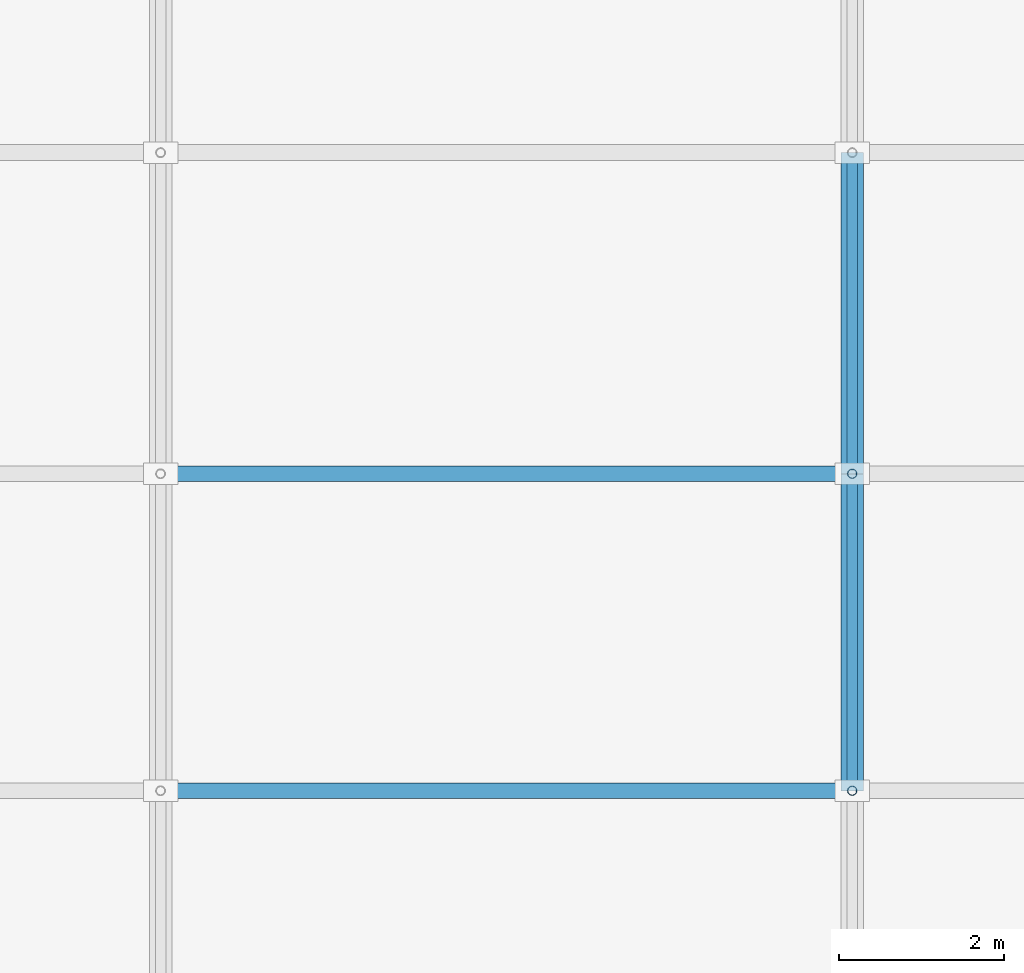
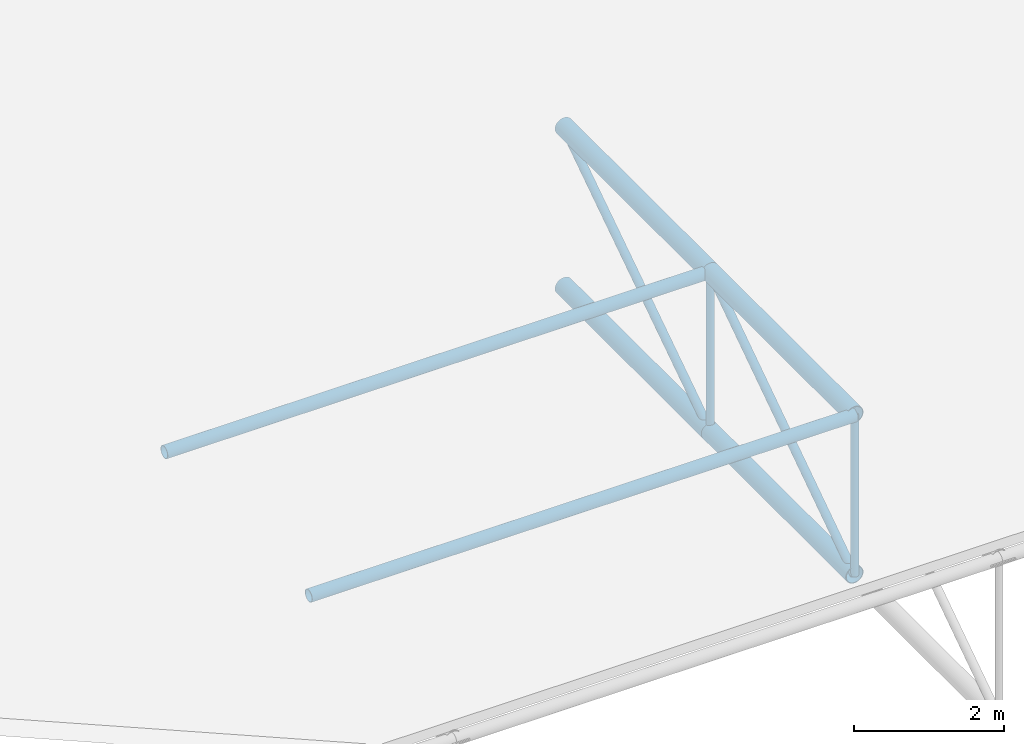
# One storey, part 33 of 140: 6 members, 4 beams.
"""IFC4 building model written with IfcOpenShell, lengths in metres."""

from ifc_helpers import new_model, si_unit, direction, frame, origin, origin_2d, place, context, subcontext, project, spatial, hollow_circle, extrude, material, material_profile, profile_set, type_object, element, save


model = new_model("IFC4")

# Units and contexts
model_context = context("Model", 3, precision=1e-05, world=origin(), true_north=direction((0.0, 1.0)))
body_context = subcontext(model_context, "Body", "Model", "MODEL_VIEW")
ifc_project = project(units=[si_unit("LENGTHUNIT", "METRE"), si_unit("AREAUNIT", "SQUARE_METRE"), si_unit("VOLUMEUNIT", "CUBIC_METRE"), si_unit("PLANEANGLEUNIT", "RADIAN"), si_unit("MASSUNIT", "GRAM", prefix="KILO")], contexts=[model_context])

# Site, building, storey
site_placement = place(None, origin())
site = spatial("IfcSite", under=ifc_project, at=site_placement, CompositionType="ELEMENT")
building_placement = place(site_placement, origin())
building = spatial("IfcBuilding", under=site, at=building_placement, Name="Varnapada Polytechnic", CompositionType="ELEMENT")
storey_placement = place(building_placement, frame((0.0, 0.0, 13.800048828125)))
storey = spatial("IfcBuildingStorey", under=building, at=storey_placement, Name="L03", CompositionType="ELEMENT", Elevation=13.800048828125)

# Members
ifc_material = material(Name="Steel S355", Category="steel")
ifc_material_profile_1 = material_profile(ifc_material, hollow_circle(Radius=0.096923828125, WallThickness=0.00634765625, at=origin_2d()), Name="CHS 193.7x6.3")
ifc_profile_set_1 = profile_set([ifc_material_profile_1], Name="Steel S355")
member_type_1 = type_object("IfcMemberType", Name="Canopy space frame longitudinal chord SFC-03 (CHS 193.7x6.3)", PredefinedType="CHORD", material=ifc_profile_set_1)
for number, where, z_axis, x_axis, name in (
    (1, (92.39990234375, 12.89990234375, -1.35009765625), (1.0, 0.0, 0.0), (0.0, 1.0, 0.0), "Entrance canopy longitudinal chord 3.4"),
    (2, (92.39990234375, 9.050048828125, -1.35009765625), (1.0, 0.0, 0.0), (0.0, 1.0, 0.0), "Entrance canopy longitudinal chord 3.5"),
):
    element("IfcMember", number, at=place(storey_placement, frame(where, z_axis=z_axis, x_axis=x_axis)), inside=storey, type_object=member_type_1, Name=name, PredefinedType="CHORD", context=body_context, shape_type="SweptSolid", body=[
        extrude(hollow_circle(Radius=0.096923828125, WallThickness=0.00634765625, at=origin_2d()), origin(), (0.0, 0.0, 1.0), 8.400146484375),
    ])
ifc_material_profile_2 = material_profile(ifc_material, hollow_circle(Radius=0.05712890625, WallThickness=0.0048828125, at=origin_2d()), Name="CHS 114.3x5.0")
ifc_profile_set_2 = profile_set([ifc_material_profile_2], Name="Steel S355")
member_type_2 = type_object("IfcMemberType", Name="Canopy space frame web strut SFS-02 (CHS 114.3x5.0)", PredefinedType="STRUT", material=ifc_profile_set_2)
for number, where, z_axis, x_axis, name in (
    (3, (100.800048828125, 12.89990234375, -3.949951171875), (0.0, 0.0, 1.0), (1.0, 0.0, 0.0), "Entrance canopy space frame post 4.4"),
    (4, (100.800048828125, 9.050048828125, -3.949951171875), (0.0, 0.0, 1.0), (1.0, 0.0, 0.0), "Entrance canopy space frame post 4.5"),
):
    element("IfcMember", number, at=place(storey_placement, frame(where, z_axis=z_axis, x_axis=x_axis)), inside=storey, type_object=member_type_2, Name=name, PredefinedType="STRUT", context=body_context, shape_type="SweptSolid", body=[
        extrude(hollow_circle(Radius=0.05712890625, WallThickness=0.0048828125, at=origin_2d()), origin(), (0.0, 0.0, 1.0), 2.599853515625),
    ])
ifc_material_profile_3 = material_profile(ifc_material, hollow_circle(Radius=0.0634765625, WallThickness=0.0048828125, at=origin_2d()), Name="CHS 127.0x5.0")
ifc_profile_set_3 = profile_set([ifc_material_profile_3], Name="Steel S355")
member_type_3 = type_object("IfcMemberType", Name="Canopy web diagonal SFB-04 (CHS 127.0x5.0)", PredefinedType="BRACE", material=ifc_profile_set_3)
member_1_placement = place(storey_placement, frame((100.800048828125, 16.800048828125, -1.35009765625), z_axis=(0.0, -0.832074333263, -0.554664136145), x_axis=(1.0, 0.0, 0.0)))
element("IfcMember", 5, at=member_1_placement, inside=storey, type_object=member_type_3, Name="Entrance canopy space frame web brace 4.3", PredefinedType="BRACE", context=body_context, shape_type="SweptSolid", body=[
    extrude(hollow_circle(Radius=0.0634765625, WallThickness=0.0048828125, at=origin_2d()), origin(), (0.0, 0.0, 1.0), 4.687255859375),
])
member_2_placement = place(storey_placement, frame((100.800048828125, 12.89990234375, -1.35009765625), z_axis=(0.0, -0.828728630838, -0.559650655704), x_axis=(1.0, 0.0, 0.0)))
element("IfcMember", 6, at=member_2_placement, inside=storey, type_object=member_type_3, Name="Entrance canopy space frame web brace 4.4", PredefinedType="BRACE", context=body_context, shape_type="SweptSolid", body=[
    extrude(hollow_circle(Radius=0.0634765625, WallThickness=0.0048828125, at=origin_2d()), origin(), (0.0, 0.0, 1.0), 4.6455078125),
])

# Beams
ifc_material_profile_4 = material_profile(ifc_material, hollow_circle(Radius=0.136474609375, WallThickness=0.010009765625, at=origin_2d()), Name="CHS 273.0x10.0")
ifc_profile_set_4 = profile_set([ifc_material_profile_4], Name="Steel S355")
beam_type = type_object("IfcBeamType", Name="Vaulted space frame canopy chord beam VA-03 (CHS 273.0x10.0)", PredefinedType="BEAM", material=ifc_profile_set_4)
for number, where, z_axis, x_axis, name in (
    (7, (100.800048828125, 16.800048828125, -3.949951171875), (0.0, -1.0, 0.0), (1.0, 0.0, 0.0), "Entrance canopy space frame bottom chord 4.3"),
    (8, (100.800048828125, 16.800048828125, -1.35009765625), (0.0, -1.0, 0.0), (1.0, 0.0, 0.0), "Entrance canopy space frame top chord 4.3"),
):
    element("IfcBeam", number, at=place(storey_placement, frame(where, z_axis=z_axis, x_axis=x_axis)), inside=storey, type_object=beam_type, Name=name, PredefinedType="BEAM", context=body_context, shape_type="SweptSolid", body=[
        extrude(hollow_circle(Radius=0.136474609375, WallThickness=0.010009765625, at=origin_2d()), origin(), (0.0, 0.0, 1.0), 3.900146484375),
    ])
for number, where, z_axis, x_axis, name in (
    (9, (100.800048828125, 12.89990234375, -3.949951171875), (0.0, -1.0, 0.0), (1.0, 0.0, 0.0), "Entrance canopy space frame bottom chord 4.4"),
    (10, (100.800048828125, 12.89990234375, -1.35009765625), (0.0, -1.0, 0.0), (1.0, 0.0, 0.0), "Entrance canopy space frame top chord 4.4"),
):
    element("IfcBeam", number, at=place(storey_placement, frame(where, z_axis=z_axis, x_axis=x_axis)), inside=storey, type_object=beam_type, Name=name, PredefinedType="BEAM", context=body_context, shape_type="SweptSolid", body=[
        extrude(hollow_circle(Radius=0.136474609375, WallThickness=0.010009765625, at=origin_2d()), origin(), (0.0, 0.0, 1.0), 3.849853515625),
    ])

save(model, "model.ifc")
